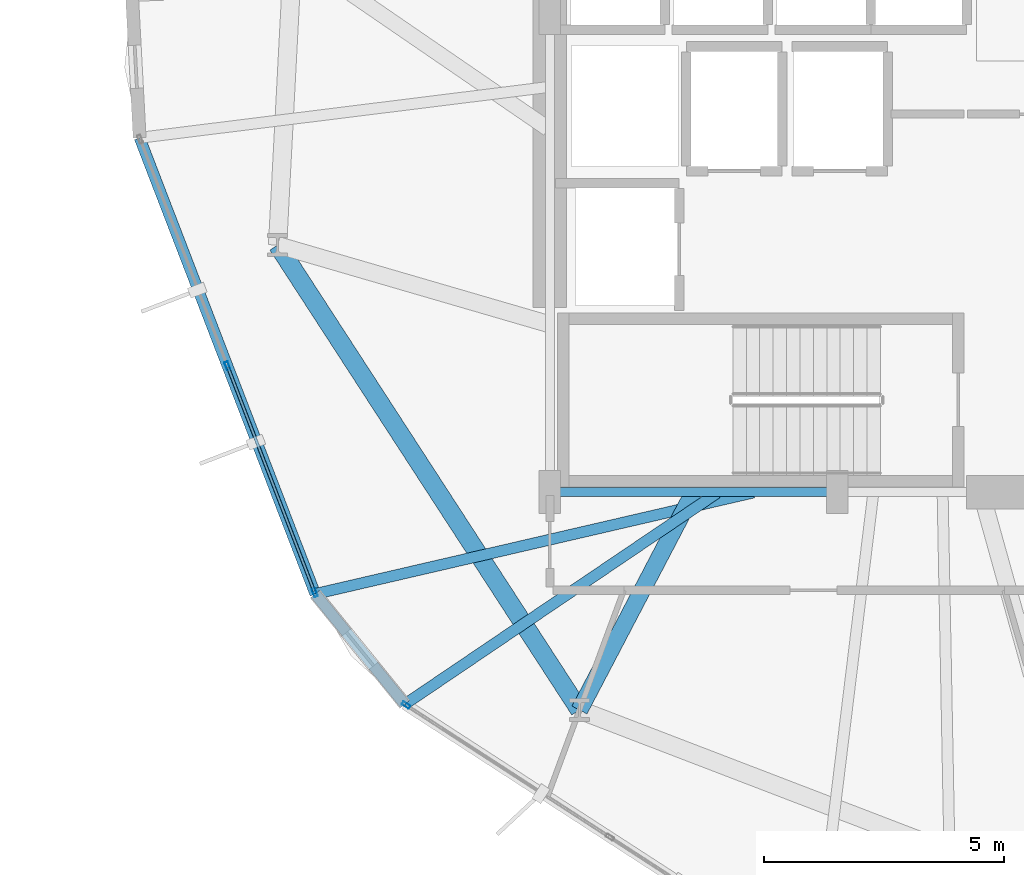
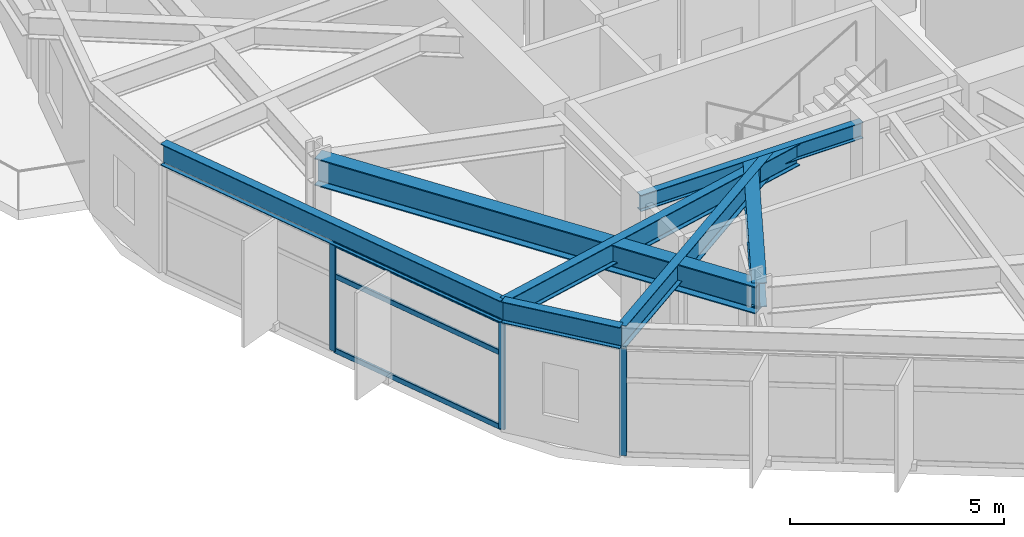
# One storey, part 3 of 23: 7 beams, 6 members, 2 elements without a shape of their own.
"""IFC4 building model written with IfcOpenShell, lengths in metres."""

from ifc_helpers import new_model, si_unit, direction, frame, origin, origin_2d, place, context, subcontext, project, spatial, hollow_rectangle, i_section, extrude, material, layer, layer_set, material_profile, profile_set, type_object, element, aggregate, save


model = new_model("IFC4")

# Units and contexts
model_context = context("Model", 3, precision=1e-05, world=origin(), true_north=direction((0.0, 1.0)))
body_context = subcontext(model_context, "Body", "Model", "MODEL_VIEW")
ifc_project = project(units=[si_unit("LENGTHUNIT", "METRE"), si_unit("AREAUNIT", "SQUARE_METRE"), si_unit("VOLUMEUNIT", "CUBIC_METRE"), si_unit("PLANEANGLEUNIT", "RADIAN"), si_unit("MASSUNIT", "GRAM", prefix="KILO")], contexts=[model_context])

# Site, building, storey
site_placement = place(None, origin())
site = spatial("IfcSite", under=ifc_project, at=site_placement, CompositionType="ELEMENT")
building_placement = place(site_placement, origin())
building = spatial("IfcBuilding", under=site, at=building_placement, Name="Soratama Intermodal Tower", CompositionType="ELEMENT")
storey_placement = place(building_placement, frame((0.0, 0.0, 38.60009765625)))
storey = spatial("IfcBuildingStorey", under=building, at=storey_placement, Name="L08", CompositionType="ELEMENT", Elevation=38.60009765625)

# Beams
ifc_material_1 = material(Name="Structural steel ASTM A992 Grade 50", Category="steel")
ifc_material_profile_1 = material_profile(ifc_material_1, i_section(OverallWidth=0.19091796875, OverallDepth=0.4599609375, WebThickness=0.010009765625, FlangeThickness=0.01611328125, FilletRadius=0.010986328125, at=origin_2d()), Name="W18X55")
ifc_profile_set_1 = profile_set([ifc_material_profile_1], Name="Structural steel ASTM A992 Grade 50")
beam_type_1 = type_object("IfcBeamType", Name="BM-FLR-W18X55", PredefinedType="BEAM", material=ifc_profile_set_1)
beam_1_placement = place(storey_placement, frame((32.60009765625, 15.0, 3.469970703125), z_axis=(1.0, 0.0, 0.0), x_axis=(0.0, 1.0, 0.0)))
element("IfcBeam", 1, at=beam_1_placement, inside=storey, type_object=beam_type_1, Name="BM-L08-CRING-01", PredefinedType="BEAM", context=body_context, shape_type="SweptSolid", body=[
    extrude(i_section(OverallWidth=0.19091796875, OverallDepth=0.4599609375, WebThickness=0.010009765625, FlangeThickness=0.01611328125, FilletRadius=0.010986328125, at=origin_2d()), origin(), (0.0, 0.0, 1.0), 6.0),
])
ifc_material_2 = material(Name="Structural steel ASTM A992 Grade 50", Category="steel")
ifc_material_profile_2 = material_profile(ifc_material_2, i_section(OverallWidth=0.35498046875, OverallDepth=0.695068359375, WebThickness=0.015380859375, FlangeThickness=0.02490234375, FilletRadius=0.01611328125, at=origin_2d()), Name="W27X146")
ifc_profile_set_2 = profile_set([ifc_material_profile_2], Name="Structural steel ASTM A992 Grade 50")
beam_type_2 = type_object("IfcBeamType", Name="BM-RING-W27X146", PredefinedType="BEAM", material=ifc_profile_set_2)
beam_2_placement = place(storey_placement, frame((35.60009765625, 15.0, 3.352294921875), z_axis=(-0.463818619792, -0.885930182314, 0.0), x_axis=(0.885930182314, -0.463818619792, 0.0)))
element("IfcBeam", 2, at=beam_2_placement, inside=storey, type_object=beam_type_2, Name="BM-L08-RAD-07", PredefinedType="BEAM", context=body_context, shape_type="SweptSolid", body=[
    extrude(i_section(OverallWidth=0.35498046875, OverallDepth=0.695068359375, WebThickness=0.015380859375, FlangeThickness=0.02490234375, FilletRadius=0.01611328125, at=origin_2d()), origin(), (0.0, 0.0, 1.0), 5.1337890625),
])
ifc_material_3 = material(Name="Structural steel ASTM A992 Grade 50", Category="steel")
ifc_material_profile_3 = material_profile(ifc_material_3, i_section(OverallWidth=0.382080078125, OverallDepth=0.779052734375, WebThickness=0.01806640625, FlangeThickness=0.030029296875, FilletRadius=0.01806640625, at=origin_2d()), Name="W30X191")
ifc_profile_set_3 = profile_set([ifc_material_profile_3], Name="Structural steel ASTM A992 Grade 50")
beam_type_3 = type_object("IfcBeamType", Name="BM-RING-W30X191", PredefinedType="BEAM", material=ifc_profile_set_3)
beam_3_placement = place(storey_placement, frame((26.91796875, 20.155029296875, 3.310302734375), z_axis=(0.544623370352, -0.838680740489, 0.0), x_axis=(0.838680740489, 0.544623370352, 0.0)))
element("IfcBeam", 3, at=beam_3_placement, inside=storey, type_object=beam_type_3, Name="BM-L08-RING-06", PredefinedType="BEAM", context=body_context, shape_type="SweptSolid", body=[
    extrude(i_section(OverallWidth=0.382080078125, OverallDepth=0.779052734375, WebThickness=0.01806640625, FlangeThickness=0.030029296875, FilletRadius=0.01806640625, at=origin_2d()), origin(), (0.0, 0.0, 1.0), 11.569580078125),
])
ifc_material_4 = material(Name="Structural steel ASTM A992 Grade 50", Category="steel")
ifc_material_profile_4 = material_profile(ifc_material_4, i_section(OverallWidth=0.22900390625, OverallDepth=0.612060546875, WebThickness=0.011962890625, FlangeThickness=0.01953125, FilletRadius=0.012939453125, at=origin_2d()), Name="W24X84")
ifc_profile_set_4 = profile_set([ifc_material_profile_4], Name="Structural steel ASTM A992 Grade 50")
beam_type_4 = type_object("IfcBeamType", Name="BM-SPN-W24X84", PredefinedType="SPANDREL", material=ifc_profile_set_4)
beam_4_placement = place(storey_placement, frame((24.0380859375, 22.39404296875, 3.393798828125), z_axis=(0.359360725363, -0.933198729675, 0.0), x_axis=(0.933198729675, 0.359360725363, 0.0)))
element("IfcBeam", 4, at=beam_4_placement, inside=storey, type_object=beam_type_4, Name="BS-L08-F06", PredefinedType="SPANDREL", context=body_context, shape_type="SweptSolid", body=[
    extrude(i_section(OverallWidth=0.22900390625, OverallDepth=0.612060546875, WebThickness=0.011962890625, FlangeThickness=0.01953125, FilletRadius=0.012939453125, at=origin_2d()), origin(), (0.0, 0.0, 1.0), 10.201416015625),
])
beam_5_placement = place(storey_placement, frame((27.7041015625, 12.8740234375, 3.393798828125), z_axis=(0.630130767843, -0.776489031099, 0.0), x_axis=(0.776489031099, 0.630130767843, 0.0)))
element("IfcBeam", 5, at=beam_5_placement, inside=storey, type_object=beam_type_4, Name="BS-L08-CRN06", PredefinedType="SPANDREL", context=body_context, shape_type="SweptSolid", body=[
    extrude(i_section(OverallWidth=0.22900390625, OverallDepth=0.612060546875, WebThickness=0.011962890625, FlangeThickness=0.01953125, FilletRadius=0.012939453125, at=origin_2d()), origin(), (0.0, 0.0, 1.0), 2.9658203125),
])
ifc_material_5 = material(Name="Structural steel ASTM A992 Grade 50", Category="steel")
ifc_material_profile_5 = material_profile(ifc_material_5, i_section(OverallWidth=0.22900390625, OverallDepth=0.612060546875, WebThickness=0.011962890625, FlangeThickness=0.01953125, FilletRadius=0.012939453125, at=origin_2d()), Name="W24X84")
ifc_profile_set_5 = profile_set([ifc_material_profile_5], Name="Structural steel ASTM A992 Grade 50")
beam_type_5 = type_object("IfcBeamType", Name="BM-TIE-W24X84", PredefinedType="BEAM", material=ifc_profile_set_5)
beam_6_placement = place(storey_placement, frame((36.847900390625, 14.990966796875, 3.393798828125), z_axis=(-0.974231370435, -0.225550962888, 0.0), x_axis=(0.225550962888, -0.974231370435, 0.0)))
element("IfcBeam", 6, at=beam_6_placement, inside=storey, type_object=beam_type_5, Name="BM-L08-TIE1-06", PredefinedType="BEAM", context=body_context, shape_type="SweptSolid", body=[
    extrude(i_section(OverallWidth=0.22900390625, OverallDepth=0.612060546875, WebThickness=0.011962890625, FlangeThickness=0.01953125, FilletRadius=0.012939453125, at=origin_2d()), origin(), (0.0, 0.0, 1.0), 9.3857421875),
])
beam_7_placement = place(storey_placement, frame((36.0859375, 14.97802734375, 3.393798828125), z_axis=(-0.828214331771, -0.560411474409, 0.0), x_axis=(0.560411474409, -0.828214331771, 0.0)))
element("IfcBeam", 7, at=beam_7_placement, inside=storey, type_object=beam_type_5, Name="BM-L08-TIE0-07", PredefinedType="BEAM", context=body_context, shape_type="SweptSolid", body=[
    extrude(i_section(OverallWidth=0.22900390625, OverallDepth=0.612060546875, WebThickness=0.011962890625, FlangeThickness=0.01953125, FilletRadius=0.012939453125, at=origin_2d()), origin(), (0.0, 0.0, 1.0), 7.86376953125),
])

# Curtain wall, members
ifc_material_6 = material(Name="Double-glazed aluminium curtain wall", Category="aluminium")
ifc_layer = layer(ifc_material_6, 0.159912109375)
ifc_layer_set = layer_set([ifc_layer], Name="Double-glazed aluminium curtain wall")
curtain_wall_type = type_object("IfcCurtainWallType", Name="CW-SYS-2", PredefinedType="NOTDEFINED", material=ifc_layer_set)
curtain_wall_1_placement = place(storey_placement, origin())
curtain_wall_1 = element("IfcCurtainWall", 8, at=curtain_wall_1_placement, inside=storey, type_object=curtain_wall_type, Name="L08 Faceted Curtain Wall F06", PredefinedType="NOTDEFINED")
ifc_material_7 = material(Name="Anodised aluminium AA 6063-T6", Category="aluminium")
ifc_material_profile_6 = material_profile(ifc_material_7, hollow_rectangle(XDim=0.074951171875, YDim=0.179931640625, WallThickness=0.006103515625, InnerFilletRadius=0.006103515625, OuterFilletRadius=0.011962890625, at=origin_2d()), Name="CWM180X75X6")
ifc_profile_set_6 = profile_set([ifc_material_profile_6], Name="Anodised aluminium AA 6063-T6")
member_type_1 = type_object("IfcMemberType", Name="MT-CWM-2", PredefinedType="MULLION", material=ifc_profile_set_6)
member_1_placement = place(storey_placement, frame((25.87109375, 17.634033203125, 0.0), z_axis=(0.0, 0.0, 1.0), x_axis=(0.93320632625, 0.359340997727, 0.0)))
member_1 = element("IfcMember", 9, at=member_1_placement, type_object=member_type_1, Name="CW-2 mullion 2", PredefinedType="MULLION", context=body_context, shape_type="SweptSolid", body=[
    extrude(hollow_rectangle(XDim=0.074951171875, YDim=0.179931640625, WallThickness=0.006103515625, InnerFilletRadius=0.006103515625, OuterFilletRadius=0.011962890625, at=origin_2d()), origin(), (0.0, 0.0, 1.0), 3.078857421875),
])
member_2_placement = place(storey_placement, frame((27.693115234375, 12.902099609375, 0.0), z_axis=(0.0, 0.0, 1.0), x_axis=(0.93320632625, 0.359340997727, 0.0)))
member_2 = element("IfcMember", 10, at=member_2_placement, type_object=member_type_1, Name="CW-2 mullion 3", PredefinedType="MULLION", context=body_context, shape_type="SweptSolid", body=[
    extrude(hollow_rectangle(XDim=0.074951171875, YDim=0.179931640625, WallThickness=0.006103515625, InnerFilletRadius=0.006103515625, OuterFilletRadius=0.011962890625, at=origin_2d()), origin(), (0.0, 0.0, 1.0), 3.078857421875),
])

# Curtain wall, member
curtain_wall_2_placement = place(storey_placement, origin())
curtain_wall_2 = element("IfcCurtainWall", 11, at=curtain_wall_2_placement, inside=storey, type_object=curtain_wall_type, Name="L08 Faceted Curtain Wall F07", PredefinedType="NOTDEFINED")
member_3_placement = place(storey_placement, frame((29.5986328125, 10.554443359375, 0.0), z_axis=(0.0, 0.0, 1.0), x_axis=(0.543762502127, 0.839239144273, 0.0)))
member_3 = element("IfcMember", 12, at=member_3_placement, type_object=member_type_1, Name="CW-2 mullion 1", PredefinedType="MULLION", context=body_context, shape_type="SweptSolid", body=[
    extrude(hollow_rectangle(XDim=0.074951171875, YDim=0.179931640625, WallThickness=0.006103515625, InnerFilletRadius=0.006103515625, OuterFilletRadius=0.011962890625, at=origin_2d()), origin(), (0.0, 0.0, 1.0), 3.078857421875),
])
aggregate(curtain_wall_2, [member_3])

# Member
ifc_material_8 = material(Name="Anodised aluminium AA 6063-T6", Category="aluminium")
ifc_material_profile_7 = material_profile(ifc_material_8, hollow_rectangle(XDim=0.06494140625, YDim=0.14990234375, WallThickness=0.0048828125, InnerFilletRadius=0.0048828125, OuterFilletRadius=0.010009765625, at=origin_2d()), Name="CWT150X65X5")
ifc_profile_set_7 = profile_set([ifc_material_profile_7], Name="Anodised aluminium AA 6063-T6")
member_type_2 = type_object("IfcMemberType", Name="TT-CWT-1", PredefinedType="USERDEFINED", material=ifc_profile_set_7)
member_4_placement = place(storey_placement, frame((25.8818359375, 17.606201171875, 0.02978515625), z_axis=(0.359338202569, -0.93320740255, 0.0), x_axis=(0.93320740255, 0.359338202569, 0.0)))
member_4 = element("IfcMember", 13, at=member_4_placement, type_object=member_type_2, Name="CW-2 transom 2.1", ObjectType="TRANSOM", PredefinedType="USERDEFINED", context=body_context, shape_type="SweptSolid", body=[
    extrude(hollow_rectangle(XDim=0.06494140625, YDim=0.14990234375, WallThickness=0.0048828125, InnerFilletRadius=0.0048828125, OuterFilletRadius=0.010009765625, at=origin_2d()), origin(), (0.0, 0.0, 1.0), 5.0107421875),
])

member_5_placement = place(storey_placement, frame((25.8818359375, 17.606201171875, 2.14990234375), z_axis=(0.359338202569, -0.93320740255, 0.0), x_axis=(0.93320740255, 0.359338202569, 0.0)))
member_5 = element("IfcMember", 14, at=member_5_placement, type_object=member_type_2, Name="CW-2 transom 2.2", ObjectType="TRANSOM", PredefinedType="USERDEFINED", context=body_context, shape_type="SweptSolid", body=[
    extrude(hollow_rectangle(XDim=0.06494140625, YDim=0.14990234375, WallThickness=0.0048828125, InnerFilletRadius=0.0048828125, OuterFilletRadius=0.010009765625, at=origin_2d()), origin(), (0.0, 0.0, 1.0), 5.0107421875),
])

member_6_placement = place(storey_placement, frame((25.8818359375, 17.606201171875, 3.048828125), z_axis=(0.359338202569, -0.93320740255, 0.0), x_axis=(0.93320740255, 0.359338202569, 0.0)))
member_6 = element("IfcMember", 15, at=member_6_placement, type_object=member_type_2, Name="CW-2 transom 2.3", ObjectType="TRANSOM", PredefinedType="USERDEFINED", context=body_context, shape_type="SweptSolid", body=[
    extrude(hollow_rectangle(XDim=0.06494140625, YDim=0.14990234375, WallThickness=0.0048828125, InnerFilletRadius=0.0048828125, OuterFilletRadius=0.010009765625, at=origin_2d()), origin(), (0.0, 0.0, 1.0), 5.0107421875),
])

aggregate(curtain_wall_1, [member_1, member_2, member_4, member_5, member_6])

save(model, "model.ifc")
